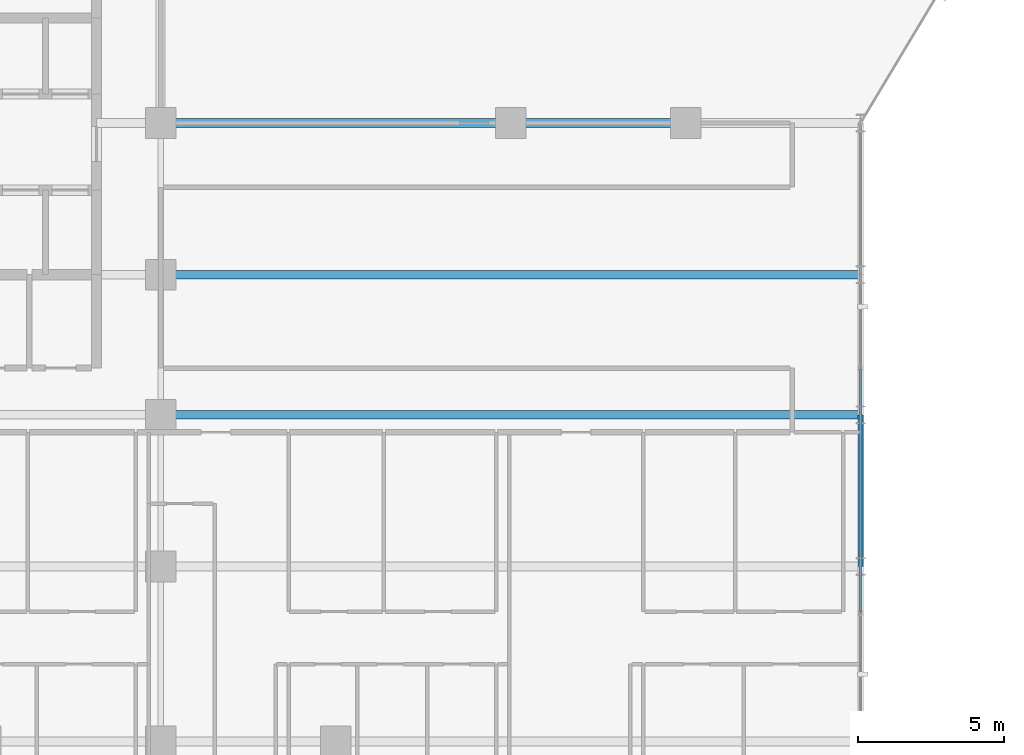
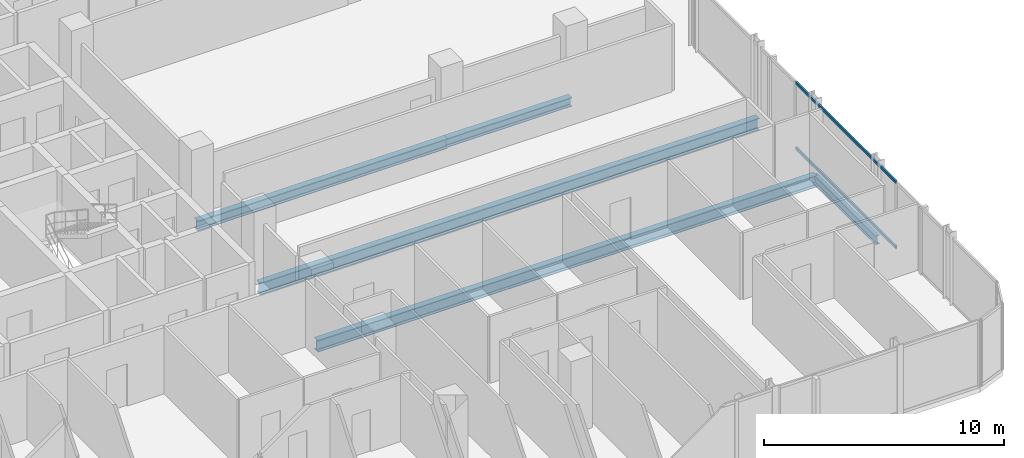
# One storey, part 11 of 29: 5 beams, 2 members, 1 element without a shape of its own.
"""IFC4 building model written with IfcOpenShell, lengths in metres."""

from ifc_helpers import new_model, si_unit, direction, frame, origin, origin_2d, place, context, subcontext, project, spatial, hollow_rectangle, i_section, extrude, material, layer, layer_set, material_profile, profile_set, type_object, element, aggregate, save


model = new_model("IFC4")

# Units and contexts
model_context = context("Model", 3, precision=1e-05, world=origin(), true_north=direction((0.0, 1.0)))
body_context = subcontext(model_context, "Body", "Model", "MODEL_VIEW")
ifc_project = project(units=[si_unit("LENGTHUNIT", "METRE"), si_unit("AREAUNIT", "SQUARE_METRE"), si_unit("VOLUMEUNIT", "CUBIC_METRE"), si_unit("PLANEANGLEUNIT", "RADIAN"), si_unit("MASSUNIT", "GRAM", prefix="KILO")], contexts=[model_context])

# Site, building, storey
site_placement = place(None, origin())
site = spatial("IfcSite", under=ifc_project, at=site_placement, CompositionType="ELEMENT")
building_placement = place(site_placement, origin())
building = spatial("IfcBuilding", under=site, at=building_placement, Name="Keshet Zoharim Tower", CompositionType="ELEMENT")
storey_placement = place(building_placement, frame((0.0, 0.0, 102.0)))
storey = spatial("IfcBuildingStorey", under=building, at=storey_placement, Name="L24", CompositionType="ELEMENT", Elevation=102.0)

# Beams
ifc_material_1 = material(Name="Steel S355", Category="steel")
ifc_material_profile_1 = material_profile(ifc_material_1, i_section(OverallWidth=0.300048828125, OverallDepth=0.60009765625, WebThickness=0.015380859375, FlangeThickness=0.030029296875, FilletRadius=0.027099609375, at=origin_2d()), Name="HEB600")
ifc_profile_set_1 = profile_set([ifc_material_profile_1], Name="Steel S355")
beam_type_1 = type_object("IfcBeamType", Name="BM-LNG-HB600", PredefinedType="BEAM", material=ifc_profile_set_1)
for number, where, z_axis, x_axis, name in (
    (1, (33.0, 17.89990234375, -0.614990234375), (1.0, 0.0, 0.0), (0.0, 1.0, 0.0), "L24 Primary Girder X-013"),
    (2, (33.0, 22.699951171875, -0.614990234375), (1.0, 0.0, 0.0), (0.0, 1.0, 0.0), "L24 Primary Girder X-014"),
):
    element("IfcBeam", number, at=place(storey_placement, frame(where, z_axis=z_axis, x_axis=x_axis)), inside=storey, type_object=beam_type_1, Name=name, PredefinedType="BEAM", context=body_context, shape_type="SweptSolid", body=[
        extrude(i_section(OverallWidth=0.300048828125, OverallDepth=0.60009765625, WebThickness=0.015380859375, FlangeThickness=0.030029296875, FilletRadius=0.027099609375, at=origin_2d()), origin(), (0.0, 0.0, 1.0), 24.0),
    ])
ifc_material_profile_2 = material_profile(ifc_material_1, i_section(OverallWidth=0.300048828125, OverallDepth=0.5, WebThickness=0.014404296875, FlangeThickness=0.028076171875, FilletRadius=0.027099609375, at=origin_2d()), Name="HEB500")
ifc_profile_set_2 = profile_set([ifc_material_profile_2], Name="Steel S355")
beam_type_2 = type_object("IfcBeamType", Name="BM-MED-HB500", PredefinedType="BEAM", material=ifc_profile_set_2)
beam_1_placement = place(storey_placement, frame((33.0, 27.89990234375, -0.56494140625), z_axis=(1.0, 0.0, 0.0), x_axis=(0.0, 1.0, 0.0)))
element("IfcBeam", 3, at=beam_1_placement, inside=storey, type_object=beam_type_2, Name="L24 Primary Girder X-015", PredefinedType="BEAM", context=body_context, shape_type="SweptSolid", body=[
    extrude(i_section(OverallWidth=0.300048828125, OverallDepth=0.5, WebThickness=0.014404296875, FlangeThickness=0.028076171875, FilletRadius=0.027099609375, at=origin_2d()), origin(), (0.0, 0.0, 1.0), 12.0),
])
ifc_material_profile_3 = material_profile(ifc_material_1, i_section(OverallWidth=0.18994140625, OverallDepth=0.449951171875, WebThickness=0.009521484375, FlangeThickness=0.0146484375, FilletRadius=0.02099609375, at=origin_2d()), Name="IPE450")
ifc_profile_set_3 = profile_set([ifc_material_profile_3], Name="Steel S355")
beam_type_3 = type_object("IfcBeamType", Name="BM-PRI-IP450", PredefinedType="BEAM", material=ifc_profile_set_3)
beam_2_placement = place(storey_placement, frame((57.0, 12.699951171875, -0.5400390625), z_axis=(0.0, 1.0, 0.0), x_axis=(-1.0, 0.0, 0.0)))
element("IfcBeam", 4, at=beam_2_placement, inside=storey, type_object=beam_type_3, Name="L24 Primary Girder Y-014", PredefinedType="BEAM", context=body_context, shape_type="SweptSolid", body=[
    extrude(i_section(OverallWidth=0.18994140625, OverallDepth=0.449951171875, WebThickness=0.009521484375, FlangeThickness=0.0146484375, FilletRadius=0.02099609375, at=origin_2d()), origin(), (0.0, 0.0, 1.0), 5.199951171875),
])
ifc_material_profile_4 = material_profile(ifc_material_1, i_section(OverallWidth=0.300048828125, OverallDepth=0.449951171875, WebThickness=0.013916015625, FlangeThickness=0.02587890625, FilletRadius=0.027099609375, at=origin_2d()), Name="HEB450")
ifc_profile_set_4 = profile_set([ifc_material_profile_4], Name="Steel S355")
beam_type_4 = type_object("IfcBeamType", Name="BM-WEB-HB450", PredefinedType="BEAM", material=ifc_profile_set_4)
beam_3_placement = place(storey_placement, frame((45.0, 27.89990234375, -0.5400390625), z_axis=(1.0, 0.0, 0.0), x_axis=(0.0, 1.0, 0.0)))
element("IfcBeam", 5, at=beam_3_placement, inside=storey, type_object=beam_type_4, Name="L24 Primary Girder X-016", PredefinedType="BEAM", context=body_context, shape_type="SweptSolid", body=[
    extrude(i_section(OverallWidth=0.300048828125, OverallDepth=0.449951171875, WebThickness=0.013916015625, FlangeThickness=0.02587890625, FilletRadius=0.027099609375, at=origin_2d()), origin(), (0.0, 0.0, 1.0), 6.0),
])

# Curtain wall, members
ifc_material_2 = material(Name="Aluminium 6063-T6", Category="aluminium")
ifc_layer = layer(ifc_material_2, 0.159912109375)
ifc_layer_set = layer_set([ifc_layer], Name="Aluminium 6063-T6")
curtain_wall_type = type_object("IfcCurtainWallType", Name="CW-SYS-03", PredefinedType="NOTDEFINED", material=ifc_layer_set)
curtain_wall_placement = place(storey_placement, origin())
curtain_wall = element("IfcCurtainWall", 6, at=curtain_wall_placement, inside=storey, type_object=curtain_wall_type, Name="L24 Unitised Curtain Wall 19", PredefinedType="NOTDEFINED")
ifc_material_profile_5 = material_profile(ifc_material_2, hollow_rectangle(XDim=0.080078125, YDim=0.139892578125, WallThickness=0.00390625, at=origin_2d()), Name="TRN-80x140")
ifc_profile_set_5 = profile_set([ifc_material_profile_5], Name="Aluminium 6063-T6")
member_type = type_object("IfcMemberType", Name="CWT-T14", PredefinedType="USERDEFINED", material=ifc_profile_set_5)
member_1_placement = place(storey_placement, frame((57.0, 19.465087890625, 0.034912109375), z_axis=(0.0, -1.0, 0.0), x_axis=(1.0, 0.0, 0.0)))
member_1 = element("IfcMember", 7, at=member_1_placement, type_object=member_type, Name="CW-03 transom 2.1", ObjectType="TRANSOM", PredefinedType="USERDEFINED", context=body_context, shape_type="SweptSolid", body=[
    extrude(hollow_rectangle(XDim=0.080078125, YDim=0.139892578125, WallThickness=0.00390625, at=origin_2d()), origin(), (0.0, 0.0, 1.0), 8.330078125),
])
member_2_placement = place(storey_placement, frame((57.0, 19.465087890625, 3.35009765625), z_axis=(0.0, -1.0, 0.0), x_axis=(1.0, 0.0, 0.0)))
member_2 = element("IfcMember", 8, at=member_2_placement, type_object=member_type, Name="CW-03 transom 2.2", ObjectType="TRANSOM", PredefinedType="USERDEFINED", context=body_context, shape_type="SweptSolid", body=[
    extrude(hollow_rectangle(XDim=0.080078125, YDim=0.139892578125, WallThickness=0.00390625, at=origin_2d()), origin(), (0.0, 0.0, 1.0), 8.330078125),
])
aggregate(curtain_wall, [member_1, member_2])

save(model, "model.ifc")
